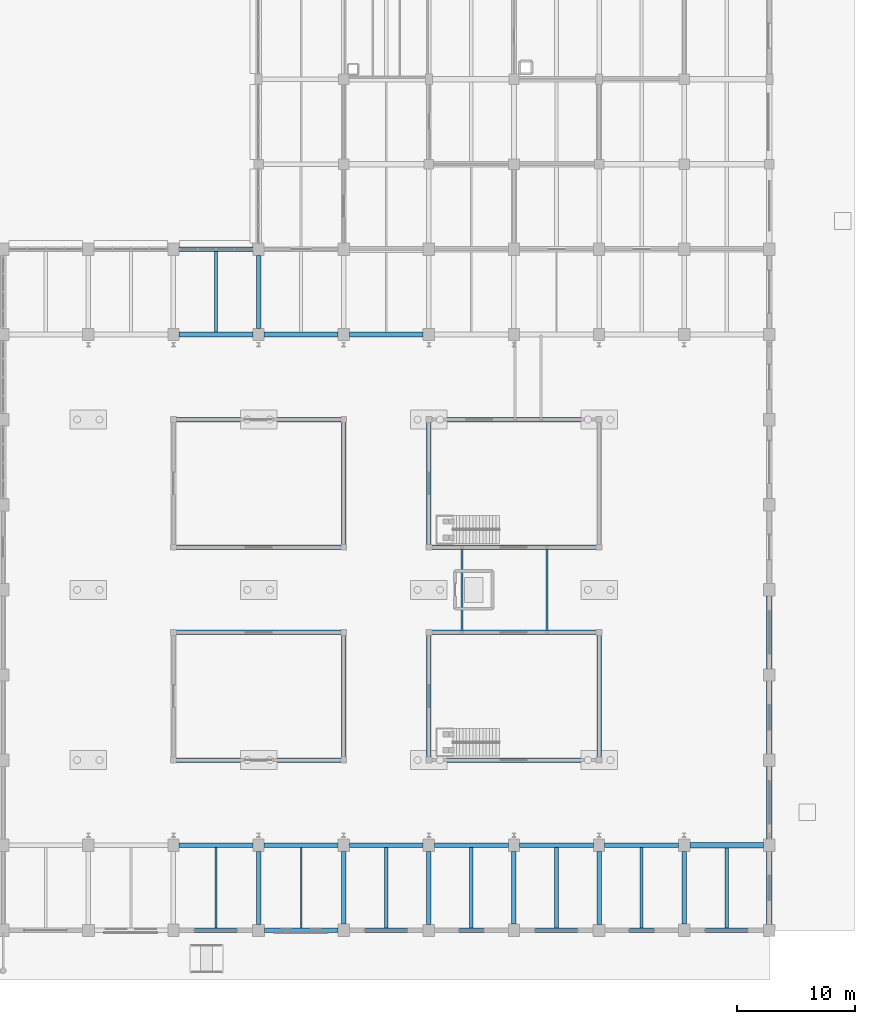
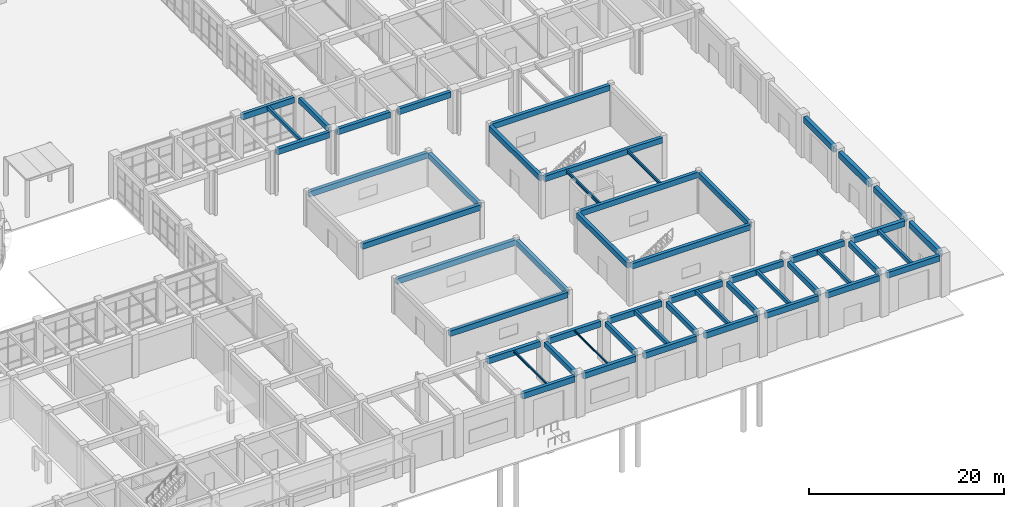
# One storey, part 92 of 160: 52 beams.
"""IFC4 building model written with IfcOpenShell, lengths in metres."""

from ifc_helpers import new_model, si_unit, direction, frame, origin, origin_2d, place, context, subcontext, project, spatial, rectangle, i_section, extrude, material, material_profile, profile_set, type_object, element, save


model = new_model("IFC4")

# Units and contexts
model_context = context("Model", 3, precision=1e-05, world=origin(), true_north=direction((0.0, 1.0)))
body_context = subcontext(model_context, "Body", "Model", "MODEL_VIEW")
ifc_project = project(units=[si_unit("LENGTHUNIT", "METRE"), si_unit("AREAUNIT", "SQUARE_METRE"), si_unit("VOLUMEUNIT", "CUBIC_METRE"), si_unit("PLANEANGLEUNIT", "RADIAN"), si_unit("MASSUNIT", "GRAM", prefix="KILO")], contexts=[model_context])

# Site, building, storey
site_placement = place(None, origin())
site = spatial("IfcSite", under=ifc_project, at=site_placement, CompositionType="ELEMENT")
building_placement = place(site_placement, origin())
building = spatial("IfcBuilding", under=site, at=building_placement, Name="Thalmaran Polytechnic", CompositionType="ELEMENT")
storey_placement = place(building_placement, origin())
storey = spatial("IfcBuildingStorey", under=building, at=storey_placement, Name="L00", CompositionType="ELEMENT", Elevation=0.0)

# Beams
ifc_material_1 = material(Name="Concrete C40/50", Category="concrete")
ifc_material_profile_1 = material_profile(ifc_material_1, rectangle(XDim=0.449951171875, YDim=0.72509765625, at=origin_2d()), Name="RC 450x725")
ifc_profile_set_1 = profile_set([ifc_material_profile_1], Name="Concrete C40/50")
beam_type_1 = type_object("IfcBeamType", Name="BM-RC04", PredefinedType="BEAM", material=ifc_profile_set_1)
beam_1_placement = place(storey_placement, frame((166.074951171875, 7.199951171875, 4.7275390625), z_axis=(1.0, 0.0, 0.0), x_axis=(0.0, 1.0, 0.0)))
element("IfcBeam", 1, at=beam_1_placement, inside=storey, type_object=beam_type_1, Name="Grid Beam B04 L00 X(23,1)", PredefinedType="BEAM", context=body_context, shape_type="SweptSolid", body=[
    extrude(rectangle(XDim=0.449951171875, YDim=0.72509765625, at=origin_2d()), origin(), (0.0, 0.0, 1.0), 6.25),
])
ifc_material_profile_2 = material_profile(ifc_material_1, rectangle(XDim=0.389892578125, YDim=0.68505859375, at=origin_2d()), Name="RC 390x685")
ifc_profile_set_2 = profile_set([ifc_material_profile_2], Name="Concrete C40/50")
beam_type_2 = type_object("IfcBeamType", Name="BM-RC08", PredefinedType="BEAM", material=ifc_profile_set_2)
for number, where, z_axis, x_axis, name in (
    (2, (122.610107421875, 14.39990234375, 3.91259765625), (1.0, 0.0, 0.0), (0.0, 1.0, 0.0), "POD1 Edge Beam X"),
    (3, (122.610107421875, 25.199951171875, 3.91259765625), (1.0, 0.0, 0.0), (0.0, 1.0, 0.0), "POD1 Edge Beam X"),
):
    element("IfcBeam", number, at=place(storey_placement, frame(where, z_axis=z_axis, x_axis=x_axis)), inside=storey, type_object=beam_type_2, Name=name, PredefinedType="BEAM", context=body_context, shape_type="SweptSolid", body=[
        extrude(rectangle(XDim=0.389892578125, YDim=0.68505859375, at=origin_2d()), origin(), (0.0, 0.0, 1.0), 13.97998046875),
    ])
beam_2_placement = place(storey_placement, frame((136.800048828125, 14.610107421875, 3.91259765625), z_axis=(0.0, 1.0, 0.0), x_axis=(-1.0, 0.0, 0.0)))
element("IfcBeam", 4, at=beam_2_placement, inside=storey, type_object=beam_type_2, Name="POD1 Edge Beam Y", PredefinedType="BEAM", context=body_context, shape_type="SweptSolid", body=[
    extrude(rectangle(XDim=0.389892578125, YDim=0.68505859375, at=origin_2d()), origin(), (0.0, 0.0, 1.0), 10.3798828125),
])
for number, where, z_axis, x_axis, name in (
    (5, (144.2099609375, 14.39990234375, 4.8125), (1.0, 0.0, 0.0), (0.0, 1.0, 0.0), "POD2 Edge Beam X"),
    (6, (144.2099609375, 25.199951171875, 4.8125), (1.0, 0.0, 0.0), (0.0, 1.0, 0.0), "POD2 Edge Beam X"),
):
    element("IfcBeam", number, at=place(storey_placement, frame(where, z_axis=z_axis, x_axis=x_axis)), inside=storey, type_object=beam_type_2, Name=name, PredefinedType="BEAM", context=body_context, shape_type="SweptSolid", body=[
        extrude(rectangle(XDim=0.389892578125, YDim=0.68505859375, at=origin_2d()), origin(), (0.0, 0.0, 1.0), 13.97998046875),
    ])
for number, where, z_axis, x_axis, name in (
    (7, (144.0, 14.610107421875, 4.8125), (0.0, 1.0, 0.0), (-1.0, 0.0, 0.0), "POD2 Edge Beam Y"),
    (8, (158.39990234375, 14.610107421875, 4.8125), (0.0, 1.0, 0.0), (-1.0, 0.0, 0.0), "POD2 Edge Beam Y"),
):
    element("IfcBeam", number, at=place(storey_placement, frame(where, z_axis=z_axis, x_axis=x_axis)), inside=storey, type_object=beam_type_2, Name=name, PredefinedType="BEAM", context=body_context, shape_type="SweptSolid", body=[
        extrude(rectangle(XDim=0.389892578125, YDim=0.68505859375, at=origin_2d()), origin(), (0.0, 0.0, 1.0), 10.3798828125),
    ])
for number, where, z_axis, x_axis, name in (
    (9, (122.610107421875, 32.39990234375, 3.91259765625), (1.0, 0.0, 0.0), (0.0, 1.0, 0.0), "POD3 Edge Beam X"),
    (10, (122.610107421875, 43.199951171875, 3.91259765625), (1.0, 0.0, 0.0), (0.0, 1.0, 0.0), "POD3 Edge Beam X"),
):
    element("IfcBeam", number, at=place(storey_placement, frame(where, z_axis=z_axis, x_axis=x_axis)), inside=storey, type_object=beam_type_2, Name=name, PredefinedType="BEAM", context=body_context, shape_type="SweptSolid", body=[
        extrude(rectangle(XDim=0.389892578125, YDim=0.68505859375, at=origin_2d()), origin(), (0.0, 0.0, 1.0), 13.97998046875),
    ])
beam_3_placement = place(storey_placement, frame((136.800048828125, 32.610107421875, 3.91259765625), z_axis=(0.0, 1.0, 0.0), x_axis=(-1.0, 0.0, 0.0)))
element("IfcBeam", 11, at=beam_3_placement, inside=storey, type_object=beam_type_2, Name="POD3 Edge Beam Y", PredefinedType="BEAM", context=body_context, shape_type="SweptSolid", body=[
    extrude(rectangle(XDim=0.389892578125, YDim=0.68505859375, at=origin_2d()), origin(), (0.0, 0.0, 1.0), 10.3798828125),
])
for number, where, z_axis, x_axis, name in (
    (12, (144.2099609375, 32.39990234375, 4.8125), (1.0, 0.0, 0.0), (0.0, 1.0, 0.0), "POD4 Edge Beam X"),
    (13, (144.2099609375, 43.199951171875, 4.8125), (1.0, 0.0, 0.0), (0.0, 1.0, 0.0), "POD4 Edge Beam X"),
):
    element("IfcBeam", number, at=place(storey_placement, frame(where, z_axis=z_axis, x_axis=x_axis)), inside=storey, type_object=beam_type_2, Name=name, PredefinedType="BEAM", context=body_context, shape_type="SweptSolid", body=[
        extrude(rectangle(XDim=0.389892578125, YDim=0.68505859375, at=origin_2d()), origin(), (0.0, 0.0, 1.0), 13.97998046875),
    ])
beam_4_placement = place(storey_placement, frame((144.0, 32.610107421875, 4.8125), z_axis=(0.0, 1.0, 0.0), x_axis=(-1.0, 0.0, 0.0)))
element("IfcBeam", 14, at=beam_4_placement, inside=storey, type_object=beam_type_2, Name="POD4 Edge Beam Y", PredefinedType="BEAM", context=body_context, shape_type="SweptSolid", body=[
    extrude(rectangle(XDim=0.389892578125, YDim=0.68505859375, at=origin_2d()), origin(), (0.0, 0.0, 1.0), 10.3798828125),
])
ifc_material_profile_3 = material_profile(ifc_material_1, rectangle(XDim=0.300048828125, YDim=0.5, at=origin_2d()), Name="RC 300x500")
ifc_profile_set_3 = profile_set([ifc_material_profile_3], Name="Concrete C40/50")
beam_type_3 = type_object("IfcBeamType", Name="BM-RC11", PredefinedType="JOIST", material=ifc_profile_set_3)
beam_5_placement = place(storey_placement, frame((140.39990234375, 0.199951171875, 4.840087890625), z_axis=(0.0, 1.0, 0.0), x_axis=(-1.0, 0.0, 0.0)))
element("IfcBeam", 15, at=beam_5_placement, inside=storey, type_object=beam_type_3, Name="Secondary Floor Rib RB01 L00 (19,0)", PredefinedType="JOIST", context=body_context, shape_type="SweptSolid", body=[
    extrude(rectangle(XDim=0.300048828125, YDim=0.5, at=origin_2d()), origin(), (0.0, 0.0, 1.0), 6.800048828125),
])
ifc_material_profile_4 = material_profile(ifc_material_1, rectangle(XDim=0.300048828125, YDim=0.449951171875, at=origin_2d()), Name="RC 300x450")
ifc_profile_set_4 = profile_set([ifc_material_profile_4], Name="Concrete C40/50")
beam_type_4 = type_object("IfcBeamType", Name="BM-RC12", PredefinedType="JOIST", material=ifc_profile_set_4)
beam_6_placement = place(storey_placement, frame((154.800048828125, 0.199951171875, 4.864990234375), z_axis=(0.0, 1.0, 0.0), x_axis=(-1.0, 0.0, 0.0)))
element("IfcBeam", 16, at=beam_6_placement, inside=storey, type_object=beam_type_4, Name="Secondary Floor Rib RB02 L00 (21,0)", PredefinedType="JOIST", context=body_context, shape_type="SweptSolid", body=[
    extrude(rectangle(XDim=0.300048828125, YDim=0.449951171875, at=origin_2d()), origin(), (0.0, 0.0, 1.0), 6.800048828125),
])
ifc_material_profile_5 = material_profile(ifc_material_1, rectangle(XDim=0.280029296875, YDim=0.449951171875, at=origin_2d()), Name="RC 280x450")
ifc_profile_set_5 = profile_set([ifc_material_profile_5], Name="Concrete C40/50")
beam_type_5 = type_object("IfcBeamType", Name="BM-RC13", PredefinedType="JOIST", material=ifc_profile_set_5)
beam_7_placement = place(storey_placement, frame((169.199951171875, 0.199951171875, 4.864990234375), z_axis=(0.0, 1.0, 0.0), x_axis=(-1.0, 0.0, 0.0)))
element("IfcBeam", 17, at=beam_7_placement, inside=storey, type_object=beam_type_5, Name="Secondary Floor Rib RB03 L00 (23,0)", PredefinedType="JOIST", context=body_context, shape_type="SweptSolid", body=[
    extrude(rectangle(XDim=0.280029296875, YDim=0.449951171875, at=origin_2d()), origin(), (0.0, 0.0, 1.0), 6.775146484375),
])
ifc_material_2 = material(Name="Steel S355", Category="steel")
ifc_material_profile_6 = material_profile(ifc_material_2, i_section(OverallWidth=0.179931640625, OverallDepth=0.39990234375, WebThickness=0.008544921875, FlangeThickness=0.013427734375, at=origin_2d()), Name="IPE 400")
ifc_profile_set_6 = profile_set([ifc_material_profile_6], Name="Steel S355")
beam_type_6 = type_object("IfcBeamType", Name="BM-SJ01", PredefinedType="JOIST", material=ifc_profile_set_6)
for number, where, z_axis, x_axis, name in (
    (18, (146.800048828125, 25.340087890625, 4.955078125), (0.0, 1.0, 0.0), (-1.0, 0.0, 0.0), "Pod Bridge Steel Girder B1"),
    (19, (154.0, 25.340087890625, 4.955078125), (0.0, 1.0, 0.0), (-1.0, 0.0, 0.0), "Pod Bridge Steel Girder B1"),
):
    element("IfcBeam", number, at=place(storey_placement, frame(where, z_axis=z_axis, x_axis=x_axis)), inside=storey, type_object=beam_type_6, Name=name, PredefinedType="JOIST", context=body_context, shape_type="SweptSolid", body=[
        extrude(i_section(OverallWidth=0.179931640625, OverallDepth=0.39990234375, WebThickness=0.008544921875, FlangeThickness=0.013427734375, at=origin_2d()), origin(), (0.0, 0.0, 1.0), 6.919921875),
    ])
ifc_material_profile_7 = material_profile(ifc_material_2, i_section(OverallWidth=0.135009765625, OverallDepth=0.27001953125, WebThickness=0.006591796875, FlangeThickness=0.01025390625, at=origin_2d()), Name="IPE 270")
ifc_profile_set_7 = profile_set([ifc_material_profile_7], Name="Steel S355")
beam_type_7 = type_object("IfcBeamType", Name="BM-SJ03", PredefinedType="JOIST", material=ifc_profile_set_7)
beam_8_placement = place(storey_placement, frame((126.0, 0.199951171875, 4.955078125), z_axis=(0.0, 1.0, 0.0), x_axis=(-1.0, 0.0, 0.0)))
element("IfcBeam", 20, at=beam_8_placement, inside=storey, type_object=beam_type_7, Name="Secondary Floor Rib SJ03 L00 (17,0)", PredefinedType="JOIST", context=body_context, shape_type="SweptSolid", body=[
    extrude(i_section(OverallWidth=0.135009765625, OverallDepth=0.27001953125, WebThickness=0.006591796875, FlangeThickness=0.01025390625, at=origin_2d()), origin(), (0.0, 0.0, 1.0), 6.800048828125),
])
ifc_material_profile_8 = material_profile(ifc_material_2, i_section(OverallWidth=0.110107421875, OverallDepth=0.219970703125, WebThickness=0.005859375, FlangeThickness=0.00927734375, at=origin_2d()), Name="IPE 220")
ifc_profile_set_8 = profile_set([ifc_material_profile_8], Name="Steel S355")
beam_type_8 = type_object("IfcBeamType", Name="BM-SJ04", PredefinedType="JOIST", material=ifc_profile_set_8)
beam_9_placement = place(storey_placement, frame((133.199951171875, 0.199951171875, 4.97998046875), z_axis=(0.0, 1.0, 0.0), x_axis=(-1.0, 0.0, 0.0)))
element("IfcBeam", 21, at=beam_9_placement, inside=storey, type_object=beam_type_8, Name="Secondary Floor Rib SJ04 L00 (18,0)", PredefinedType="JOIST", context=body_context, shape_type="SweptSolid", body=[
    extrude(i_section(OverallWidth=0.110107421875, OverallDepth=0.219970703125, WebThickness=0.005859375, FlangeThickness=0.00927734375, at=origin_2d()), origin(), (0.0, 0.0, 1.0), 6.800048828125),
])
ifc_material_profile_9 = material_profile(ifc_material_1, rectangle(XDim=0.39990234375, YDim=0.719970703125, at=origin_2d()), Name="RC 400x720")
ifc_profile_set_9 = profile_set([ifc_material_profile_9], Name="Concrete C40/50")
beam_type_9 = type_object("IfcBeamType", Name="BM-SP01", PredefinedType="SPANDREL", material=ifc_profile_set_9)
beam_10_placement = place(storey_placement, frame((122.875, 0.0, 4.72998046875), z_axis=(1.0, 0.0, 0.0), x_axis=(0.0, 1.0, 0.0)))
element("IfcBeam", 22, at=beam_10_placement, inside=storey, type_object=beam_type_9, Name="Grid Beam SP01 L00 X(17,0)", PredefinedType="SPANDREL", context=body_context, shape_type="SweptSolid", body=[
    extrude(rectangle(XDim=0.39990234375, YDim=0.719970703125, at=origin_2d()), origin(), (0.0, 0.0, 1.0), 6.22509765625),
])
for number, where, z_axis, x_axis, name in (
    (23, (122.875, 7.199951171875, 4.72998046875), (1.0, 0.0, 0.0), (0.0, 1.0, 0.0), "Grid Beam SP01 L00 X(17,1)"),
    (24, (122.875, 50.39990234375, 4.72998046875), (1.0, 0.0, 0.0), (0.0, 1.0, 0.0), "Grid Beam SP01 L00 X(17,7)"),
    (25, (122.875, 57.60009765625, 4.72998046875), (1.0, 0.0, 0.0), (0.0, 1.0, 0.0), "Grid Beam SP01 L00 X(17,8)"),
):
    element("IfcBeam", number, at=place(storey_placement, frame(where, z_axis=z_axis, x_axis=x_axis)), inside=storey, type_object=beam_type_9, Name=name, PredefinedType="SPANDREL", context=body_context, shape_type="SweptSolid", body=[
        extrude(rectangle(XDim=0.39990234375, YDim=0.719970703125, at=origin_2d()), origin(), (0.0, 0.0, 1.0), 6.25),
    ])
beam_11_placement = place(storey_placement, frame((130.10009765625, 0.0, 4.72998046875), z_axis=(1.0, 0.0, 0.0), x_axis=(0.0, 1.0, 0.0)))
element("IfcBeam", 26, at=beam_11_placement, inside=storey, type_object=beam_type_9, Name="Grid Beam SP01 L00 X(18,0)", PredefinedType="SPANDREL", context=body_context, shape_type="SweptSolid", body=[
    extrude(rectangle(XDim=0.39990234375, YDim=0.719970703125, at=origin_2d()), origin(), (0.0, 0.0, 1.0), 6.224853515625),
])
for number, where, z_axis, x_axis, name in (
    (27, (130.074951171875, 7.199951171875, 4.72998046875), (1.0, 0.0, 0.0), (0.0, 1.0, 0.0), "Grid Beam SP01 L00 X(18,1)"),
    (28, (130.074951171875, 50.39990234375, 4.72998046875), (1.0, 0.0, 0.0), (0.0, 1.0, 0.0), "Grid Beam SP01 L00 X(18,7)"),
):
    element("IfcBeam", number, at=place(storey_placement, frame(where, z_axis=z_axis, x_axis=x_axis)), inside=storey, type_object=beam_type_9, Name=name, PredefinedType="SPANDREL", context=body_context, shape_type="SweptSolid", body=[
        extrude(rectangle(XDim=0.39990234375, YDim=0.719970703125, at=origin_2d()), origin(), (0.0, 0.0, 1.0), 6.25),
    ])
beam_12_placement = place(storey_placement, frame((137.27490234375, 0.0, 4.72998046875), z_axis=(1.0, 0.0, 0.0), x_axis=(0.0, 1.0, 0.0)))
element("IfcBeam", 29, at=beam_12_placement, inside=storey, type_object=beam_type_9, Name="Grid Beam SP01 L00 X(19,0)", PredefinedType="SPANDREL", context=body_context, shape_type="SweptSolid", body=[
    extrude(rectangle(XDim=0.39990234375, YDim=0.719970703125, at=origin_2d()), origin(), (0.0, 0.0, 1.0), 6.22509765625),
])
for number, where, z_axis, x_axis, name in (
    (30, (137.27490234375, 7.199951171875, 4.72998046875), (1.0, 0.0, 0.0), (0.0, 1.0, 0.0), "Grid Beam SP01 L00 X(19,1)"),
    (31, (137.27490234375, 50.39990234375, 4.72998046875), (1.0, 0.0, 0.0), (0.0, 1.0, 0.0), "Grid Beam SP01 L00 X(19,7)"),
):
    element("IfcBeam", number, at=place(storey_placement, frame(where, z_axis=z_axis, x_axis=x_axis)), inside=storey, type_object=beam_type_9, Name=name, PredefinedType="SPANDREL", context=body_context, shape_type="SweptSolid", body=[
        extrude(rectangle(XDim=0.39990234375, YDim=0.719970703125, at=origin_2d()), origin(), (0.0, 0.0, 1.0), 6.25),
    ])
beam_13_placement = place(storey_placement, frame((144.5, 0.0, 4.72998046875), z_axis=(1.0, 0.0, 0.0), x_axis=(0.0, 1.0, 0.0)))
element("IfcBeam", 32, at=beam_13_placement, inside=storey, type_object=beam_type_9, Name="Grid Beam SP01 L00 X(20,0)", PredefinedType="SPANDREL", context=body_context, shape_type="SweptSolid", body=[
    extrude(rectangle(XDim=0.39990234375, YDim=0.719970703125, at=origin_2d()), origin(), (0.0, 0.0, 1.0), 6.22509765625),
])
beam_14_placement = place(storey_placement, frame((144.47509765625, 7.199951171875, 4.72998046875), z_axis=(1.0, 0.0, 0.0), x_axis=(0.0, 1.0, 0.0)))
element("IfcBeam", 33, at=beam_14_placement, inside=storey, type_object=beam_type_9, Name="Grid Beam SP01 L00 X(20,1)", PredefinedType="SPANDREL", context=body_context, shape_type="SweptSolid", body=[
    extrude(rectangle(XDim=0.39990234375, YDim=0.719970703125, at=origin_2d()), origin(), (0.0, 0.0, 1.0), 6.25),
])
beam_15_placement = place(storey_placement, frame((151.675048828125, 0.0, 4.72998046875), z_axis=(1.0, 0.0, 0.0), x_axis=(0.0, 1.0, 0.0)))
element("IfcBeam", 34, at=beam_15_placement, inside=storey, type_object=beam_type_9, Name="Grid Beam SP01 L00 X(21,0)", PredefinedType="SPANDREL", context=body_context, shape_type="SweptSolid", body=[
    extrude(rectangle(XDim=0.39990234375, YDim=0.719970703125, at=origin_2d()), origin(), (0.0, 0.0, 1.0), 6.224853515625),
])
beam_16_placement = place(storey_placement, frame((151.675048828125, 7.199951171875, 4.72998046875), z_axis=(1.0, 0.0, 0.0), x_axis=(0.0, 1.0, 0.0)))
element("IfcBeam", 35, at=beam_16_placement, inside=storey, type_object=beam_type_9, Name="Grid Beam SP01 L00 X(21,1)", PredefinedType="SPANDREL", context=body_context, shape_type="SweptSolid", body=[
    extrude(rectangle(XDim=0.39990234375, YDim=0.719970703125, at=origin_2d()), origin(), (0.0, 0.0, 1.0), 6.25),
])
beam_17_placement = place(storey_placement, frame((158.89990234375, 0.0, 4.72998046875), z_axis=(1.0, 0.0, 0.0), x_axis=(0.0, 1.0, 0.0)))
element("IfcBeam", 36, at=beam_17_placement, inside=storey, type_object=beam_type_9, Name="Grid Beam SP01 L00 X(22,0)", PredefinedType="SPANDREL", context=body_context, shape_type="SweptSolid", body=[
    extrude(rectangle(XDim=0.39990234375, YDim=0.719970703125, at=origin_2d()), origin(), (0.0, 0.0, 1.0), 6.22509765625),
])
beam_18_placement = place(storey_placement, frame((158.875, 7.199951171875, 4.72998046875), z_axis=(1.0, 0.0, 0.0), x_axis=(0.0, 1.0, 0.0)))
element("IfcBeam", 37, at=beam_18_placement, inside=storey, type_object=beam_type_9, Name="Grid Beam SP01 L00 X(22,1)", PredefinedType="SPANDREL", context=body_context, shape_type="SweptSolid", body=[
    extrude(rectangle(XDim=0.39990234375, YDim=0.719970703125, at=origin_2d()), origin(), (0.0, 0.0, 1.0), 6.25),
])
beam_19_placement = place(storey_placement, frame((166.074951171875, 0.0, 4.72998046875), z_axis=(1.0, 0.0, 0.0), x_axis=(0.0, 1.0, 0.0)))
element("IfcBeam", 38, at=beam_19_placement, inside=storey, type_object=beam_type_9, Name="Grid Beam SP01 L00 X(23,0)", PredefinedType="SPANDREL", context=body_context, shape_type="SweptSolid", body=[
    extrude(rectangle(XDim=0.39990234375, YDim=0.719970703125, at=origin_2d()), origin(), (0.0, 0.0, 1.0), 6.22509765625),
])
ifc_material_profile_10 = material_profile(ifc_material_1, rectangle(XDim=0.449951171875, YDim=0.7548828125, at=origin_2d()), Name="RC 450x755")
ifc_profile_set_10 = profile_set([ifc_material_profile_10], Name="Concrete C40/50")
beam_type_10 = type_object("IfcBeamType", Name="BM-SP02", PredefinedType="SPANDREL", material=ifc_profile_set_10)
beam_20_placement = place(storey_placement, frame((172.800048828125, 0.5, 4.71240234375), z_axis=(0.0, 1.0, 0.0), x_axis=(-1.0, 0.0, 0.0)))
element("IfcBeam", 39, at=beam_20_placement, inside=storey, type_object=beam_type_10, Name="Grid Beam SP02 L00 Y(24,0)", PredefinedType="SPANDREL", context=body_context, shape_type="SweptSolid", body=[
    extrude(rectangle(XDim=0.449951171875, YDim=0.7548828125, at=origin_2d()), origin(), (0.0, 0.0, 1.0), 6.175048828125),
])
for number, where, z_axis, x_axis, name in (
    (40, (172.800048828125, 7.72509765625, 4.71240234375), (0.0, 1.0, 0.0), (-1.0, 0.0, 0.0), "Grid Beam SP02 L00 Y(24,1)"),
    (41, (172.800048828125, 14.925048828125, 4.71240234375), (0.0, 1.0, 0.0), (-1.0, 0.0, 0.0), "Grid Beam SP02 L00 Y(24,2)"),
    (42, (172.800048828125, 22.125, 4.71240234375), (0.0, 1.0, 0.0), (-1.0, 0.0, 0.0), "Grid Beam SP02 L00 Y(24,3)"),
):
    element("IfcBeam", number, at=place(storey_placement, frame(where, z_axis=z_axis, x_axis=x_axis)), inside=storey, type_object=beam_type_10, Name=name, PredefinedType="SPANDREL", context=body_context, shape_type="SweptSolid", body=[
        extrude(rectangle(XDim=0.449951171875, YDim=0.7548828125, at=origin_2d()), origin(), (0.0, 0.0, 1.0), 6.14990234375),
    ])
ifc_material_profile_11 = material_profile(ifc_material_1, rectangle(XDim=0.3798828125, YDim=0.635009765625, at=origin_2d()), Name="RC 380x635")
ifc_profile_set_11 = profile_set([ifc_material_profile_11], Name="Concrete C40/50")
beam_type_11 = type_object("IfcBeamType", Name="BM-ZB06", PredefinedType="BEAM", material=ifc_profile_set_11)
beam_21_placement = place(storey_placement, frame((129.60009765625, 0.5, 4.7724609375), z_axis=(0.0, 1.0, 0.0), x_axis=(-1.0, 0.0, 0.0)))
element("IfcBeam", 43, at=beam_21_placement, inside=storey, type_object=beam_type_11, Name="Grid Beam ZB06 L00 Y(18,0)", PredefinedType="BEAM", context=body_context, shape_type="SweptSolid", body=[
    extrude(rectangle(XDim=0.3798828125, YDim=0.635009765625, at=origin_2d()), origin(), (0.0, 0.0, 1.0), 6.175048828125),
])
beam_22_placement = place(storey_placement, frame((129.60009765625, 50.925048828125, 4.7724609375), z_axis=(0.0, 1.0, 0.0), x_axis=(-1.0, 0.0, 0.0)))
element("IfcBeam", 44, at=beam_22_placement, inside=storey, type_object=beam_type_11, Name="Grid Beam ZB06 L00 Y(18,7)", PredefinedType="BEAM", context=body_context, shape_type="SweptSolid", body=[
    extrude(rectangle(XDim=0.3798828125, YDim=0.635009765625, at=origin_2d()), origin(), (0.0, 0.0, 1.0), 6.14990234375),
])
beam_23_placement = place(storey_placement, frame((136.800048828125, 0.52490234375, 4.7724609375), z_axis=(0.0, 1.0, 0.0), x_axis=(-1.0, 0.0, 0.0)))
element("IfcBeam", 45, at=beam_23_placement, inside=storey, type_object=beam_type_11, Name="Grid Beam ZB06 L00 Y(19,0)", PredefinedType="BEAM", context=body_context, shape_type="SweptSolid", body=[
    extrude(rectangle(XDim=0.3798828125, YDim=0.635009765625, at=origin_2d()), origin(), (0.0, 0.0, 1.0), 6.150146484375),
])
beam_24_placement = place(storey_placement, frame((144.0, 0.5, 4.7724609375), z_axis=(0.0, 1.0, 0.0), x_axis=(-1.0, 0.0, 0.0)))
element("IfcBeam", 46, at=beam_24_placement, inside=storey, type_object=beam_type_11, Name="Grid Beam ZB06 L00 Y(20,0)", PredefinedType="BEAM", context=body_context, shape_type="SweptSolid", body=[
    extrude(rectangle(XDim=0.3798828125, YDim=0.635009765625, at=origin_2d()), origin(), (0.0, 0.0, 1.0), 6.175048828125),
])
beam_25_placement = place(storey_placement, frame((151.199951171875, 0.52490234375, 4.7724609375), z_axis=(0.0, 1.0, 0.0), x_axis=(-1.0, 0.0, 0.0)))
element("IfcBeam", 47, at=beam_25_placement, inside=storey, type_object=beam_type_11, Name="Grid Beam ZB06 L00 Y(21,0)", PredefinedType="BEAM", context=body_context, shape_type="SweptSolid", body=[
    extrude(rectangle(XDim=0.3798828125, YDim=0.635009765625, at=origin_2d()), origin(), (0.0, 0.0, 1.0), 6.150146484375),
])
beam_26_placement = place(storey_placement, frame((158.39990234375, 0.5, 4.7724609375), z_axis=(0.0, 1.0, 0.0), x_axis=(-1.0, 0.0, 0.0)))
element("IfcBeam", 48, at=beam_26_placement, inside=storey, type_object=beam_type_11, Name="Grid Beam ZB06 L00 Y(22,0)", PredefinedType="BEAM", context=body_context, shape_type="SweptSolid", body=[
    extrude(rectangle(XDim=0.3798828125, YDim=0.635009765625, at=origin_2d()), origin(), (0.0, 0.0, 1.0), 6.175048828125),
])
beam_27_placement = place(storey_placement, frame((165.60009765625, 0.52490234375, 4.7724609375), z_axis=(0.0, 1.0, 0.0), x_axis=(-1.0, 0.0, 0.0)))
element("IfcBeam", 49, at=beam_27_placement, inside=storey, type_object=beam_type_11, Name="Grid Beam ZB06 L00 Y(23,0)", PredefinedType="BEAM", context=body_context, shape_type="SweptSolid", body=[
    extrude(rectangle(XDim=0.3798828125, YDim=0.635009765625, at=origin_2d()), origin(), (0.0, 0.0, 1.0), 6.150146484375),
])
ifc_material_profile_12 = material_profile(ifc_material_1, rectangle(XDim=0.280029296875, YDim=0.47998046875, at=origin_2d()), Name="RC 280x480")
ifc_profile_set_12 = profile_set([ifc_material_profile_12], Name="Concrete C40/50")
beam_type_12 = type_object("IfcBeamType", Name="BM-ZJ01", PredefinedType="JOIST", material=ifc_profile_set_12)
beam_28_placement = place(storey_placement, frame((147.60009765625, 0.199951171875, 4.85009765625), z_axis=(0.0, 1.0, 0.0), x_axis=(-1.0, 0.0, 0.0)))
element("IfcBeam", 50, at=beam_28_placement, inside=storey, type_object=beam_type_12, Name="Secondary Floor Rib ZJ01 L00 (20,0)", PredefinedType="JOIST", context=body_context, shape_type="SweptSolid", body=[
    extrude(rectangle(XDim=0.280029296875, YDim=0.47998046875, at=origin_2d()), origin(), (0.0, 0.0, 1.0), 6.800048828125),
])
ifc_material_profile_13 = material_profile(ifc_material_1, rectangle(XDim=0.260009765625, YDim=0.43994140625, at=origin_2d()), Name="RC 260x440")
ifc_profile_set_13 = profile_set([ifc_material_profile_13], Name="Concrete C40/50")
beam_type_13 = type_object("IfcBeamType", Name="BM-ZJ02", PredefinedType="JOIST", material=ifc_profile_set_13)
beam_29_placement = place(storey_placement, frame((162.0, 0.199951171875, 4.8701171875), z_axis=(0.0, 1.0, 0.0), x_axis=(-1.0, 0.0, 0.0)))
element("IfcBeam", 51, at=beam_29_placement, inside=storey, type_object=beam_type_13, Name="Secondary Floor Rib ZJ02 L00 (22,0)", PredefinedType="JOIST", context=body_context, shape_type="SweptSolid", body=[
    extrude(rectangle(XDim=0.260009765625, YDim=0.43994140625, at=origin_2d()), origin(), (0.0, 0.0, 1.0), 6.800048828125),
])
ifc_material_profile_14 = material_profile(ifc_material_1, rectangle(XDim=0.25, YDim=0.419921875, at=origin_2d()), Name="RC 250x420")
ifc_profile_set_14 = profile_set([ifc_material_profile_14], Name="Concrete C40/50")
beam_type_14 = type_object("IfcBeamType", Name="BM-ZJ03", PredefinedType="JOIST", material=ifc_profile_set_14)
beam_30_placement = place(storey_placement, frame((126.0, 50.60009765625, 4.8798828125), z_axis=(0.0, 1.0, 0.0), x_axis=(-1.0, 0.0, 0.0)))
element("IfcBeam", 52, at=beam_30_placement, inside=storey, type_object=beam_type_14, Name="Secondary Floor Rib ZJ03 L00 (17,7)", PredefinedType="JOIST", context=body_context, shape_type="SweptSolid", body=[
    extrude(rectangle(XDim=0.25, YDim=0.419921875, at=origin_2d()), origin(), (0.0, 0.0, 1.0), 6.7998046875),
])

save(model, "model.ifc")
